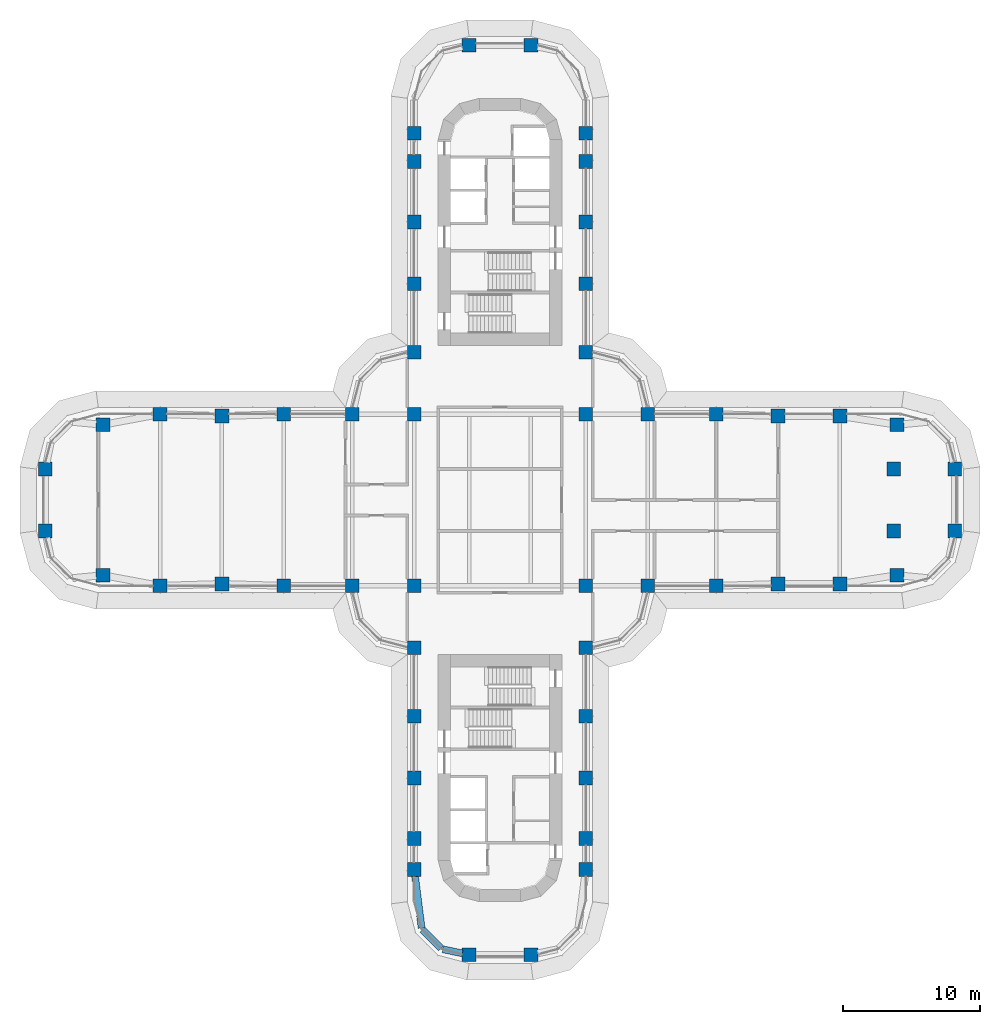
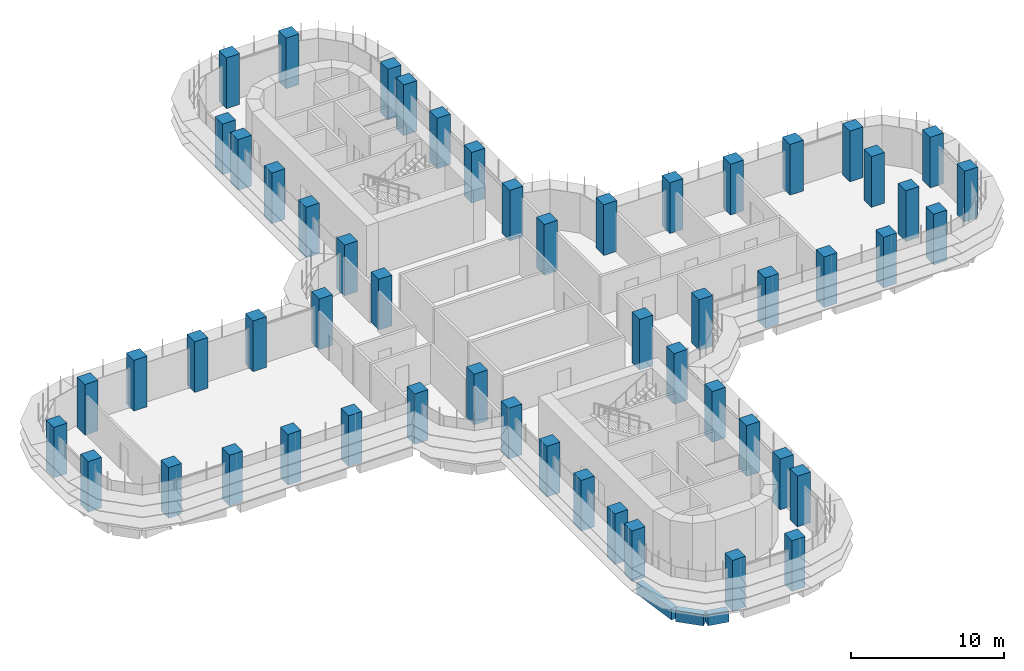
# One storey, part 1 of 23: 54 columns, 3 beams.
"""IFC4 building model written with IfcOpenShell, lengths in metres."""

from ifc_helpers import new_model, si_unit, direction, frame, origin, origin_2d, place, context, subcontext, project, spatial, rectangle, extrude, material, material_profile, profile_set, type_object, element, save


model = new_model("IFC4")

# Units and contexts
model_context = context("Model", 3, precision=1e-05, world=origin(), true_north=direction((0.0, 1.0)))
body_context = subcontext(model_context, "Body", "Model", "MODEL_VIEW")
ifc_project = project(units=[si_unit("LENGTHUNIT", "METRE"), si_unit("AREAUNIT", "SQUARE_METRE"), si_unit("VOLUMEUNIT", "CUBIC_METRE"), si_unit("PLANEANGLEUNIT", "RADIAN"), si_unit("MASSUNIT", "GRAM", prefix="KILO")], contexts=[model_context])

# Site, building, storey
site_placement = place(None, origin())
site = spatial("IfcSite", under=ifc_project, at=site_placement, CompositionType="ELEMENT")
building_placement = place(site_placement, origin())
building = spatial("IfcBuilding", under=site, at=building_placement, Name="Zarbagh Exchange Tower", CompositionType="ELEMENT")
storey_placement = place(building_placement, frame((0.0, 0.0, 69.0)))
storey = spatial("IfcBuildingStorey", under=building, at=storey_placement, Name="L15", CompositionType="ELEMENT", Elevation=69.0)

# Columns
ifc_material = material(Name="Concrete C60/75", Category="concrete")
ifc_material_profile_1 = material_profile(ifc_material, rectangle(XDim=1.0, YDim=1.0, at=origin_2d()), Name="RC column 1000 x 1000 C60/75")
ifc_profile_set_1 = profile_set([ifc_material_profile_1], Name="Concrete C60/75")
column_type = type_object("IfcColumnType", Name="RC column 1000 x 1000 C60/75", PredefinedType="COLUMN", material=ifc_profile_set_1)
for number, where, z_axis, x_axis, name in (
    (1, (-33.110107421875, -2.25, 0.0), (0.0, 0.0, 1.0), (1.0, 0.0, 0.0), "C2 10/S"),
    (2, (-33.110107421875, 2.25, 0.0), (0.0, 0.0, 1.0), (1.0, 0.0, 0.0), "C2 10/T"),
    (3, (-28.907958984375, -5.47509765625, 0.0), (0.0, 0.0, 1.0), (1.0, 0.0, 0.0), "C2 11/R"),
    (4, (-28.907958984375, 5.47509765625, 0.0), (0.0, 0.0, 1.0), (1.0, 0.0, 0.0), "C2 11/U"),
    (5, (-24.75, -6.25, 0.0), (0.0, 0.0, 1.0), (1.0, 0.0, 0.0), "C2 12/R"),
    (6, (-24.75, 6.25, 0.0), (0.0, 0.0, 1.0), (1.0, 0.0, 0.0), "C2 12/U"),
    (7, (-20.25, -6.110107421875, 0.0), (0.0, 0.0, 1.0), (1.0, 0.0, 0.0), "C2 13/R"),
    (8, (-20.25, 6.110107421875, 0.0), (0.0, 0.0, 1.0), (1.0, 0.0, 0.0), "C2 13/U"),
    (9, (-15.75, -6.25, 0.0), (0.0, 0.0, 1.0), (1.0, 0.0, 0.0), "C2 14/R"),
    (10, (-15.75, 6.25, 0.0), (0.0, 0.0, 1.0), (1.0, 0.0, 0.0), "C2 14/U"),
    (11, (-10.75, -6.25, 0.0), (0.0, 0.0, 1.0), (1.0, 0.0, 0.0), "C2 15/R"),
    (12, (-10.75, 6.25, 0.0), (0.0, 0.0, 1.0), (1.0, 0.0, 0.0), "C2 15/U"),
    (13, (-6.25, -26.89990234375, 0.0), (0.0, 0.0, 1.0), (1.0, 0.0, 0.0), "C2 16/L"),
    (14, (-6.25, -24.64990234375, 0.0), (0.0, 0.0, 1.0), (1.0, 0.0, 0.0), "C2 16/M"),
    (15, (-6.25, -20.25, 0.0), (0.0, 0.0, 1.0), (1.0, 0.0, 0.0), "C2 16/N"),
    (16, (-6.25, -15.75, 0.0), (0.0, 0.0, 1.0), (1.0, 0.0, 0.0), "C2 16/P"),
    (17, (-6.25, -10.75, 0.0), (0.0, 0.0, 1.0), (1.0, 0.0, 0.0), "C2 16/Q"),
    (18, (-6.25, -6.25, 0.0), (0.0, 0.0, 1.0), (1.0, 0.0, 0.0), "C2 16/R"),
    (19, (-6.25, 6.25, 0.0), (0.0, 0.0, 1.0), (1.0, 0.0, 0.0), "C2 16/U"),
    (20, (-6.25, 10.75, 0.0), (0.0, 0.0, 1.0), (1.0, 0.0, 0.0), "C2 16/V"),
    (21, (-6.25, 15.75, 0.0), (0.0, 0.0, 1.0), (1.0, 0.0, 0.0), "C2 16/W"),
    (22, (-6.25, 20.25, 0.0), (0.0, 0.0, 1.0), (1.0, 0.0, 0.0), "C2 16/X"),
    (23, (-6.25, 24.64990234375, 0.0), (0.0, 0.0, 1.0), (1.0, 0.0, 0.0), "C2 16/Y"),
    (24, (-6.25, 26.699951171875, 0.0), (0.0, 0.0, 1.0), (1.0, 0.0, 0.0), "C2 16/Z"),
    (25, (-2.25, -33.110107421875, 0.0), (0.0, 0.0, 1.0), (1.0, 0.0, 0.0), "C2 17/K"),
    (26, (-2.25, 33.110107421875, 0.0), (0.0, 0.0, 1.0), (1.0, 0.0, 0.0), "C2 17/AA"),
    (27, (2.25, -33.110107421875, 0.0), (0.0, 0.0, 1.0), (1.0, 0.0, 0.0), "C2 18/K"),
    (28, (2.25, 33.110107421875, 0.0), (0.0, 0.0, 1.0), (1.0, 0.0, 0.0), "C2 18/AA"),
    (29, (6.25, -26.89990234375, 0.0), (0.0, 0.0, 1.0), (1.0, 0.0, 0.0), "C2 19/L"),
    (30, (6.25, -24.64990234375, 0.0), (0.0, 0.0, 1.0), (1.0, 0.0, 0.0), "C2 19/M"),
    (31, (6.25, -20.25, 0.0), (0.0, 0.0, 1.0), (1.0, 0.0, 0.0), "C2 19/N"),
    (32, (6.25, -15.75, 0.0), (0.0, 0.0, 1.0), (1.0, 0.0, 0.0), "C2 19/P"),
    (33, (6.25, -10.75, 0.0), (0.0, 0.0, 1.0), (1.0, 0.0, 0.0), "C2 19/Q"),
    (34, (6.25, -6.25, 0.0), (0.0, 0.0, 1.0), (1.0, 0.0, 0.0), "C2 19/R"),
    (35, (6.25, 6.25, 0.0), (0.0, 0.0, 1.0), (1.0, 0.0, 0.0), "C2 19/U"),
    (36, (6.25, 10.75, 0.0), (0.0, 0.0, 1.0), (1.0, 0.0, 0.0), "C2 19/V"),
    (37, (6.25, 15.75, 0.0), (0.0, 0.0, 1.0), (1.0, 0.0, 0.0), "C2 19/W"),
    (38, (6.25, 20.25, 0.0), (0.0, 0.0, 1.0), (1.0, 0.0, 0.0), "C2 19/X"),
    (39, (6.25, 24.64990234375, 0.0), (0.0, 0.0, 1.0), (1.0, 0.0, 0.0), "C2 19/Y"),
    (40, (6.25, 26.699951171875, 0.0), (0.0, 0.0, 1.0), (1.0, 0.0, 0.0), "C2 19/Z"),
    (41, (10.75, -6.25, 0.0), (0.0, 0.0, 1.0), (1.0, 0.0, 0.0), "C2 20/R"),
    (42, (10.75, 6.25, 0.0), (0.0, 0.0, 1.0), (1.0, 0.0, 0.0), "C2 20/U"),
    (43, (15.75, -6.25, 0.0), (0.0, 0.0, 1.0), (1.0, 0.0, 0.0), "C2 21/R"),
    (44, (15.75, 6.25, 0.0), (0.0, 0.0, 1.0), (1.0, 0.0, 0.0), "C2 21/U"),
    (45, (20.25, -6.110107421875, 0.0), (0.0, 0.0, 1.0), (1.0, 0.0, 0.0), "C2 22/R"),
    (46, (20.25, 6.110107421875, 0.0), (0.0, 0.0, 1.0), (1.0, 0.0, 0.0), "C2 22/U"),
    (47, (24.75, -6.110107421875, 0.0), (0.0, 0.0, 1.0), (1.0, 0.0, 0.0), "C2 23/R"),
    (48, (24.75, 6.110107421875, 0.0), (0.0, 0.0, 1.0), (1.0, 0.0, 0.0), "C2 23/U"),
    (49, (28.907958984375, -5.47509765625, 0.0), (0.0, 0.0, 1.0), (1.0, 0.0, 0.0), "C2 24/R"),
    (50, (28.669921875, -2.25, 0.0), (0.0, 0.0, 1.0), (1.0, 0.0, 0.0), "C2 24/S"),
    (51, (28.669921875, 2.25, 0.0), (0.0, 0.0, 1.0), (1.0, 0.0, 0.0), "C2 24/T"),
    (52, (28.907958984375, 5.47509765625, 0.0), (0.0, 0.0, 1.0), (1.0, 0.0, 0.0), "C2 24/U"),
    (53, (33.110107421875, -2.25, 0.0), (0.0, 0.0, 1.0), (1.0, 0.0, 0.0), "C2 25/S"),
    (54, (33.110107421875, 2.25, 0.0), (0.0, 0.0, 1.0), (1.0, 0.0, 0.0), "C2 25/T"),
):
    element("IfcColumn", number, at=place(storey_placement, frame(where, z_axis=z_axis, x_axis=x_axis)), inside=storey, type_object=column_type, Name=name, PredefinedType="COLUMN", context=body_context, shape_type="SweptSolid", body=[
        extrude(rectangle(XDim=1.0, YDim=1.0, at=origin_2d()), origin(), (0.0, 0.0, 1.0), 4.050048828125),
    ])

# Beams
ifc_material_profile_2 = material_profile(ifc_material, rectangle(XDim=0.5, YDim=0.89990234375, at=origin_2d()), Name="RC spandrel beam 500 x 900 C60/75")
ifc_profile_set_2 = profile_set([ifc_material_profile_2], Name="Concrete C60/75")
beam_type = type_object("IfcBeamType", Name="RC spandrel beam 500 x 900 C60/75", PredefinedType="SPANDREL", material=ifc_profile_set_2)
beam_1_placement = place(storey_placement, frame((-2.73974609375, -33.0087890625, -0.60009765625), z_axis=(-0.9793713725, 0.202068589164, 0.0), x_axis=(-0.202068589164, -0.9793713725, 0.0)))
element("IfcBeam", 55, at=beam_1_placement, inside=storey, type_object=beam_type, Name="RC spandrel beam", PredefinedType="SPANDREL", context=body_context, shape_type="SweptSolid", body=[
    extrude(rectangle(XDim=0.5, YDim=0.89990234375, at=origin_2d()), origin(), (0.0, 0.0, 1.0), 1.458251953125),
])
beam_2_placement = place(storey_placement, frame((-4.294189453125, -32.64599609375, -0.60009765625), z_axis=(-0.707042571718, 0.707170984825, 0.0), x_axis=(-0.707170984825, -0.707042571718, 0.0)))
element("IfcBeam", 56, at=beam_2_placement, inside=storey, type_object=beam_type, Name="RC spandrel beam", PredefinedType="SPANDREL", context=body_context, shape_type="SweptSolid", body=[
    extrude(rectangle(XDim=0.5, YDim=0.89990234375, at=origin_2d()), origin(), (0.0, 0.0, 1.0), 1.901123046875),
])
beam_3_placement = place(storey_placement, frame((-5.709716796875, -31.156494140625, -0.60009765625), z_axis=(-0.12591317752, 0.992041265133, 0.0), x_axis=(-0.992041265133, -0.12591317752, 0.0)))
element("IfcBeam", 57, at=beam_3_placement, inside=storey, type_object=beam_type, Name="RC spandrel beam", PredefinedType="SPANDREL", context=body_context, shape_type="SweptSolid", body=[
    extrude(rectangle(XDim=0.5, YDim=0.89990234375, at=origin_2d()), origin(), (0.0, 0.0, 1.0), 3.790771484375),
])

save(model, "model.ifc")
